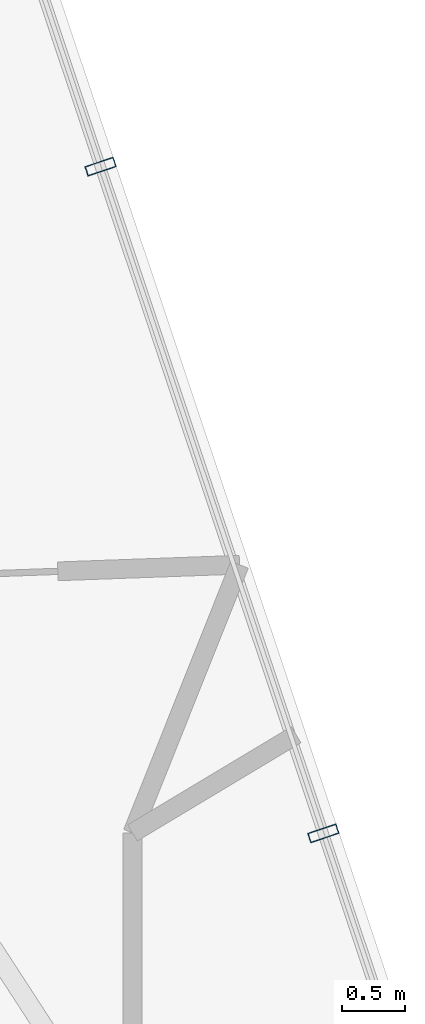
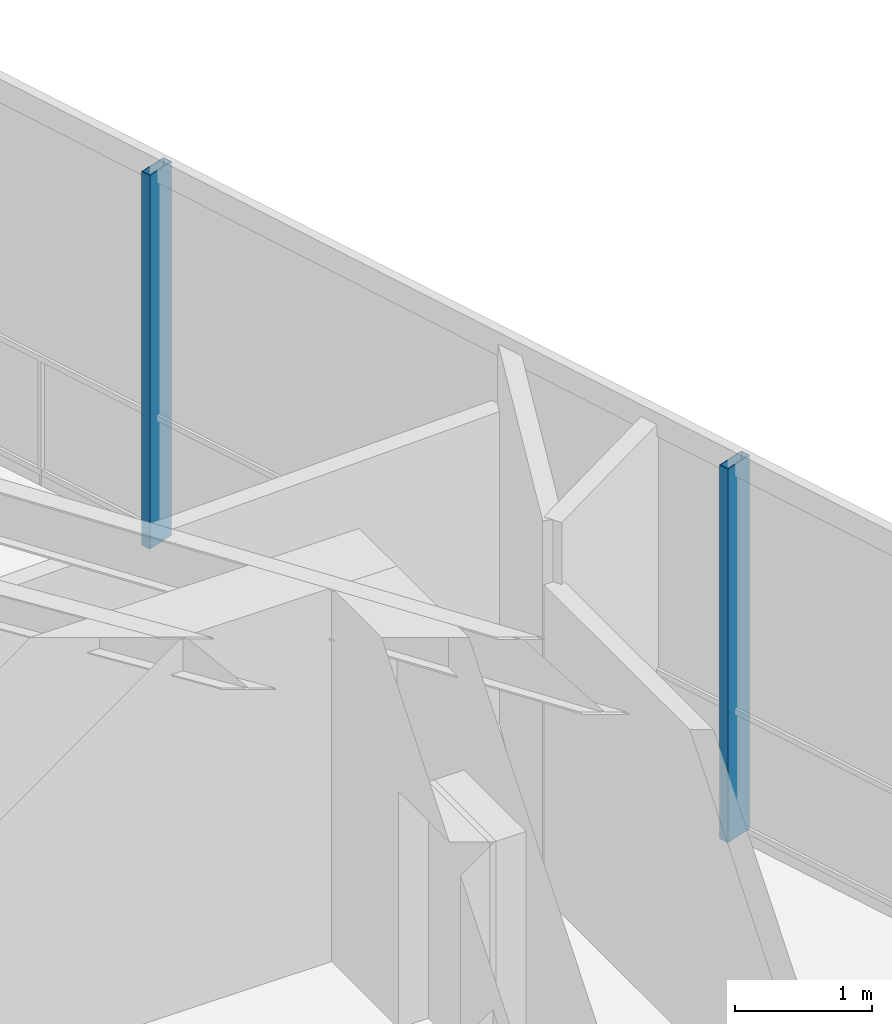
# One storey, part 12 of 18: 2 members, 1 element without a shape of its own.
"""IFC4 building model written with IfcOpenShell, lengths in metres."""

import ifcopenshell
import ifcopenshell.guid

model = None  # the IFC model being written
_history = None  # IfcOwnerHistory: only IFC2X3 demands one
_inside = {}  # id of a spatial element -> (the spatial element, [elements in it])
_under = {}  # id of a project, library or spatial element -> (it, [spatial elements below it])
_declared = {}  # id of a project -> (the project, [libraries it declares])
_typed = {}  # id of a type object -> (the type object, [elements of that type])
_made_of = {}  # id of a material, layer set ... -> (it, [elements and type objects made of it])


def new_model(schema):
    """Start an empty IFC model of exactly this schema.

    Asked for "IFC4X3", IfcOpenShell would pick the latest addendum, in which some entities
    have other attributes; the version numbers below select the first issue.
    IFC2X3 requires an IfcOwnerHistory on every rooted entity: one is made here for all.
    """
    global model, _history
    if schema == "IFC4X3":
        model = ifcopenshell.file(schema_version=(4, 3, 0, 0))
    else:
        model = ifcopenshell.file(schema=schema)
    _inside.clear()
    _under.clear()
    _declared.clear()
    _typed.clear()
    _made_of.clear()
    _history = None
    if model.schema == "IFC2X3":
        org = make("IfcOrganization", Name="unknown")
        user = make(
            "IfcPersonAndOrganization",
            ThePerson=make("IfcPerson", FamilyName="unknown"),
            TheOrganization=org,
        )
        app = make(
            "IfcApplication",
            ApplicationDeveloper=org,
            Version="unknown",
            ApplicationFullName="unknown",
            ApplicationIdentifier="unknown",
        )
        _history = make(
            "IfcOwnerHistory",
            OwningUser=user,
            OwningApplication=app,
            ChangeAction="ADDED",
            CreationDate=0,
        )
    return model


def make(cls, **values):
    """One entity of the class cls with the attributes given. An attribute that is None is left unset."""
    return model.create_entity(
        cls, **{name: value for name, value in values.items() if value is not None}
    )


def rooted(cls, **values):
    """An entity with a GlobalId (a new one), such as an element, a storey or a relation."""
    return make(cls, GlobalId=ifcopenshell.guid.new(), OwnerHistory=_history, **values)


def si_unit(unit_type, name, prefix=None):
    """IfcSIUnit, for example si_unit("LENGTHUNIT", "METRE", prefix="MILLI")."""
    return make("IfcSIUnit", UnitType=unit_type, Prefix=prefix, Name=name)


def assignment(units):
    """IfcUnitAssignment: the units of a project."""
    return None if units is None else make("IfcUnitAssignment", Units=units)


def point(xyz):
    """IfcCartesianPoint."""
    return None if xyz is None else make("IfcCartesianPoint", Coordinates=xyz)


def direction(xyz):
    """IfcDirection."""
    return None if xyz is None else make("IfcDirection", DirectionRatios=xyz)


def frame(location, z_axis=None, x_axis=None):
    """IfcAxis2Placement3D, a coordinate frame: its origin and axes. An axis left out is left unset."""
    return make(
        "IfcAxis2Placement3D",
        Location=point(location),
        Axis=direction(z_axis),
        RefDirection=direction(x_axis),
    )


def frame_2d(location, x_axis=None):
    """IfcAxis2Placement2D, a coordinate frame in the plane: its origin and x axis."""
    return make(
        "IfcAxis2Placement2D", Location=point(location), RefDirection=direction(x_axis)
    )


def origin():
    """The frame at (0, 0, 0) with its axes left unset."""
    return frame((0.0, 0.0, 0.0))


def origin_2d():
    """The frame at (0, 0) in the plane with its x axis left unset."""
    return frame_2d((0.0, 0.0))


def place(relative_to, where):
    """IfcLocalPlacement: puts the frame where relative to a parent placement (None: the world)."""
    return make(
        "IfcLocalPlacement", PlacementRelTo=relative_to, RelativePlacement=where
    )


def context(
    kind, dimensions, precision=None, world=None, true_north=None, identifier=None
):
    """IfcGeometricRepresentationContext, for example the 3D "Model" context."""
    return make(
        "IfcGeometricRepresentationContext",
        ContextIdentifier=identifier,
        ContextType=kind,
        CoordinateSpaceDimension=dimensions,
        Precision=precision,
        WorldCoordinateSystem=world,
        TrueNorth=true_north,
    )


def subcontext(parent, identifier, kind, view, scale=None):
    """IfcGeometricRepresentationSubContext, for example "Body" below "Model"."""
    return make(
        "IfcGeometricRepresentationSubContext",
        ContextIdentifier=identifier,
        ContextType=kind,
        ParentContext=parent,
        TargetScale=scale,
        TargetView=view,
    )


def project(units=None, contexts=None):
    """IfcProject with its units and contexts."""
    return rooted(
        "IfcProject",
        Name="project",
        RepresentationContexts=contexts,
        UnitsInContext=assignment(units),
    )


def spatial(cls, under=None, at=None, **own):
    """A site, building, storey or space (cls), placed at a placement, below another one or the project."""
    s = rooted(cls, ObjectPlacement=at, **own)
    if under is not None:
        _under.setdefault(under.id(), (under, []))[1].append(s)
    return s


def profile(cls, at=None, kind="AREA", **sizes):
    """A parametric profile (cls). Its sizes go by their IFC names, for example OverallWidth=200.0."""
    return make(cls, ProfileType=kind, Position=at, **sizes)


def hollow_rectangle(**sizes):
    """IfcRectangleHollowProfileDef."""
    return profile("IfcRectangleHollowProfileDef", **sizes)


def extrude(swept, where, along, depth):
    """IfcExtrudedAreaSolid: the profile swept, set in the frame where, extruded along a direction by depth."""
    return make(
        "IfcExtrudedAreaSolid",
        SweptArea=swept,
        Position=where,
        ExtrudedDirection=direction(along),
        Depth=depth,
    )


def shape(context_of_items, identifier, shape_type, items):
    """IfcShapeRepresentation: the items that make up one representation, for example the "Body"."""
    return make(
        "IfcShapeRepresentation",
        ContextOfItems=context_of_items,
        RepresentationIdentifier=identifier,
        RepresentationType=shape_type,
        Items=items,
    )


def material(Name=None, Category=None):
    """IfcMaterial."""
    return make("IfcMaterial", Name=Name, Category=Category)


def layer(
    of_material, thickness, ventilated=None, Name=None, Category=None, Priority=None
):
    """IfcMaterialLayer: one layer of a wall or slab, of a material (None: an air gap)."""
    return make(
        "IfcMaterialLayer",
        Material=of_material,
        LayerThickness=thickness,
        IsVentilated=ventilated,
        Name=Name,
        Category=Category,
        Priority=Priority,
    )


def layer_set(layers, Name=None):
    """IfcMaterialLayerSet."""
    return make("IfcMaterialLayerSet", MaterialLayers=layers, LayerSetName=Name)


def material_profile(
    of_material, cross_section, Name=None, Category=None, Priority=None
):
    """IfcMaterialProfile: a cross section and its material."""
    return make(
        "IfcMaterialProfile",
        Name=Name,
        Material=of_material,
        Profile=cross_section,
        Priority=Priority,
        Category=Category,
    )


def profile_set(profiles, Name=None, composite=None):
    """IfcMaterialProfileSet."""
    return make(
        "IfcMaterialProfileSet",
        Name=Name,
        MaterialProfiles=profiles,
        CompositeProfile=composite,
    )


def made_of(thing, what):
    """Note that an element or type object is made of a material, layer set ...; save() writes the relation."""
    if what is not None:
        _made_of.setdefault(what.id(), (what, []))[1].append(thing)
    return thing


def type_object(cls, material=None, **own):
    """A type object (cls), such as IfcWallType, which elements share."""
    return made_of(rooted(cls, **own), material)


def element(
    cls,
    number,
    at=None,
    inside=None,
    cuts=None,
    type_object=None,
    material=None,
    context=None,
    identifier="Body",
    shape_type=None,
    held_by="IfcProductDefinitionShape",
    body=None,
    shapes=None,
    **own,
):
    """One element of the class cls, such as IfcWall. Its Tag is "e" and its number.

    at: its placement. inside: the storey or other place that contains it. cuts: it is an
    opening in that element (IfcRelVoidsElement). A single representation is given by context,
    identifier, shape_type and body (its items); several are given by shapes. held_by: the class
    of the entity that holds the representations. save() writes the other relations.
    """
    e = rooted(cls, Tag="e%d" % number, ObjectPlacement=at, **own)
    if body is not None:
        shapes = [shape(context, identifier, shape_type, body)]
    if shapes is not None:
        e.Representation = make(held_by, Representations=shapes)
    if inside is not None:
        _inside.setdefault(inside.id(), (inside, []))[1].append(e)
    if cuts is not None:
        rooted(
            "IfcRelVoidsElement", RelatingBuildingElement=cuts, RelatedOpeningElement=e
        )
    if type_object is not None:
        _typed.setdefault(type_object.id(), (type_object, []))[1].append(e)
    return made_of(e, material)


def aggregate(whole, parts):
    """IfcRelAggregates: a whole, such as a stair, and the parts it consists of."""
    return rooted("IfcRelAggregates", RelatingObject=whole, RelatedObjects=parts)


def save(model, path):
    """Write the relations noted so far, then the file.

    IfcRelAggregates (storeys below a building ...), IfcRelContainedInSpatialStructure (elements
    in a storey), IfcRelDefinesByType, IfcRelAssociatesMaterial and IfcRelDeclares: one each for
    every whole, place, type object, material and project.
    """
    for whole, parts in _under.values():
        aggregate(whole, parts)
    for where, things in _inside.values():
        rooted(
            "IfcRelContainedInSpatialStructure",
            RelatedElements=things,
            RelatingStructure=where,
        )
    for kind, things in _typed.values():
        rooted("IfcRelDefinesByType", RelatedObjects=things, RelatingType=kind)
    for what, things in _made_of.values():
        rooted("IfcRelAssociatesMaterial", RelatedObjects=things, RelatingMaterial=what)
    for by, libraries in _declared.values():
        rooted("IfcRelDeclares", RelatingContext=by, RelatedDefinitions=libraries)
    model.write(path)


model = new_model("IFC4")

# Units and contexts
model_context = context("Model", 3, precision=1e-05, world=origin(), true_north=direction((0.0, 1.0)))
body_context = subcontext(model_context, "Body", "Model", "MODEL_VIEW")
ifc_project = project(units=[si_unit("LENGTHUNIT", "METRE"), si_unit("AREAUNIT", "SQUARE_METRE"), si_unit("VOLUMEUNIT", "CUBIC_METRE"), si_unit("PLANEANGLEUNIT", "RADIAN"), si_unit("MASSUNIT", "GRAM", prefix="KILO")], contexts=[model_context])

# Site, building, storey
site_placement = place(None, origin())
site = spatial("IfcSite", under=ifc_project, at=site_placement, CompositionType="ELEMENT")
building_placement = place(site_placement, origin())
building = spatial("IfcBuilding", under=site, at=building_placement, Name="Qarnah Convention Tower", CompositionType="ELEMENT")
storey_placement = place(building_placement, frame((0.0, 0.0, 249.89990234375)))
storey = spatial("IfcBuildingStorey", under=building, at=storey_placement, Name="L67", CompositionType="ELEMENT", Elevation=249.89990234375)

# Curtain wall, members
ifc_material_1 = material(Name="Tempered Low-E dark glass", Category="glass")
ifc_layer = layer(ifc_material_1, 0.176025390625)
ifc_layer_set = layer_set([ifc_layer], Name="Tempered Low-E dark glass")
curtain_wall_type = type_object("IfcCurtainWallType", Name="CWS-05", PredefinedType="NOTDEFINED", material=ifc_layer_set)
curtain_wall_placement = place(storey_placement, origin())
curtain_wall = element("IfcCurtainWall", 1, at=curtain_wall_placement, inside=storey, type_object=curtain_wall_type, Name="L67 unitised curtain wall CW-L67-F1", PredefinedType="NOTDEFINED")
ifc_material_2 = material(Name="Black anodised aluminium", Category="aluminium")
ifc_material_profile = material_profile(ifc_material_2, hollow_rectangle(XDim=0.080078125, YDim=0.239990234375, WallThickness=0.0048828125, at=origin_2d()), Name="MUL-80X240")
ifc_profile_set = profile_set([ifc_material_profile], Name="Black anodised aluminium")
member_type = type_object("IfcMemberType", Name="MUL-T5", PredefinedType="MULLION", material=ifc_profile_set)
member_1_placement = place(storey_placement, frame((48.89501953125, 39.189208984375, 0.0), z_axis=(0.0, 0.0, 1.0), x_axis=(0.316986289479, -0.948430119873, 0.0)))
member_1 = element("IfcMember", 2, at=member_1_placement, type_object=member_type, Name="CW-L67-F1 mullion 2", PredefinedType="MULLION", context=body_context, shape_type="SweptSolid", body=[
    extrude(hollow_rectangle(XDim=0.080078125, YDim=0.239990234375, WallThickness=0.0048828125, at=origin_2d()), origin(), (0.0, 0.0, 1.0), 3.320068359375),
])
member_2_placement = place(storey_placement, frame((50.675048828125, 33.86328125, 0.0), z_axis=(0.0, 0.0, 1.0), x_axis=(0.316986289479, -0.948430119873, 0.0)))
member_2 = element("IfcMember", 3, at=member_2_placement, type_object=member_type, Name="CW-L67-F1 mullion 3", PredefinedType="MULLION", context=body_context, shape_type="SweptSolid", body=[
    extrude(hollow_rectangle(XDim=0.080078125, YDim=0.239990234375, WallThickness=0.0048828125, at=origin_2d()), origin(), (0.0, 0.0, 1.0), 3.320068359375),
])
aggregate(curtain_wall, [member_1, member_2])

save(model, "model.ifc")
